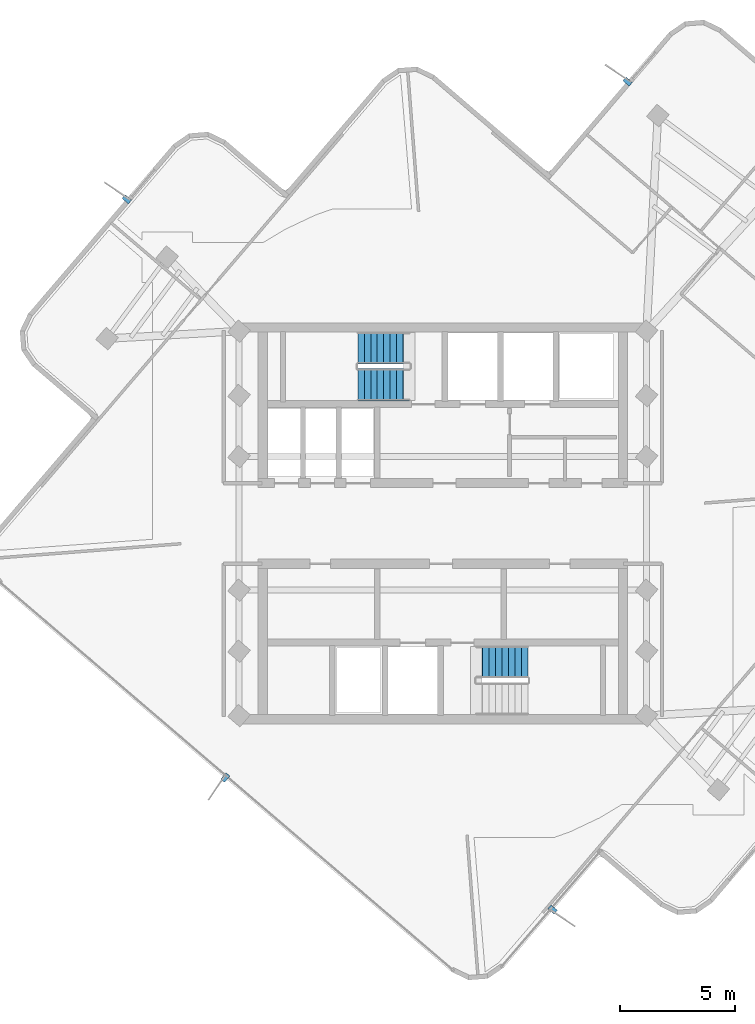
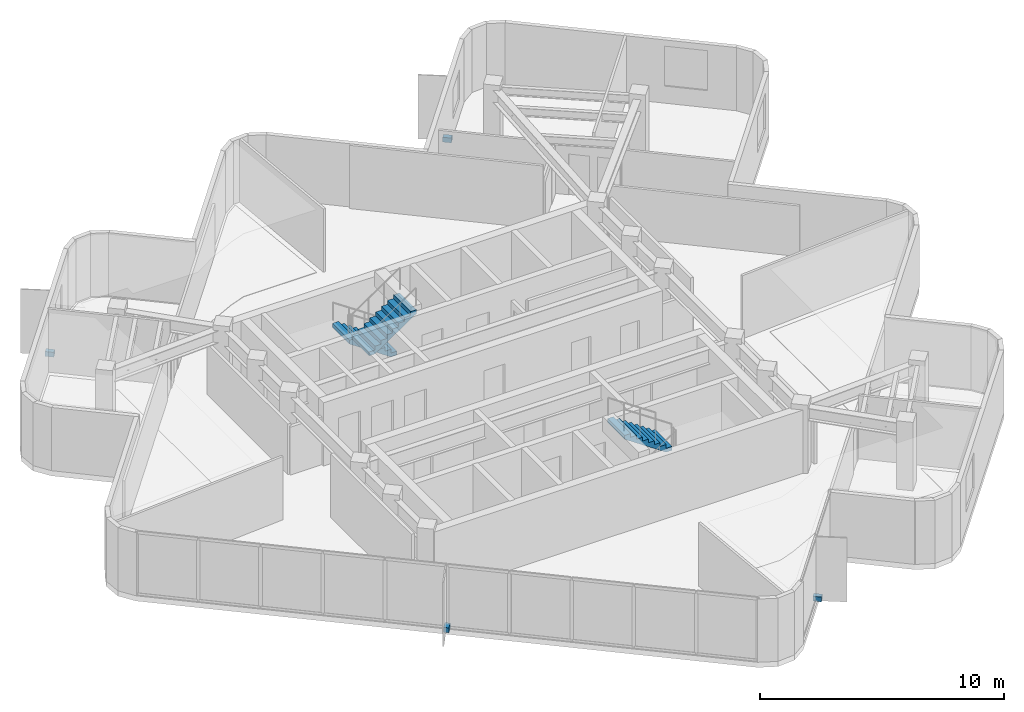
# One storey, part 8 of 11: 4 discrete accessories, 3 stair flights, 2 elements without a shape of their own.
"""IFC4 building model written with IfcOpenShell, lengths in metres."""

from ifc_helpers import new_model, si_unit, direction, frame, origin, origin_2d, place, context, subcontext, project, spatial, polyline, rectangle, outline, extrude, material, type_object, element, aggregate, save


model = new_model("IFC4")

# Units and contexts
model_context = context("Model", 3, precision=1e-05, world=origin(), true_north=direction((0.0, 1.0)))
body_context = subcontext(model_context, "Body", "Model", "MODEL_VIEW")
ifc_project = project(units=[si_unit("LENGTHUNIT", "METRE"), si_unit("AREAUNIT", "SQUARE_METRE"), si_unit("VOLUMEUNIT", "CUBIC_METRE"), si_unit("PLANEANGLEUNIT", "RADIAN"), si_unit("MASSUNIT", "GRAM", prefix="KILO")], contexts=[model_context])

# Site, building, storey
site_placement = place(None, origin())
site = spatial("IfcSite", under=ifc_project, at=site_placement, CompositionType="ELEMENT")
building_placement = place(site_placement, origin())
building = spatial("IfcBuilding", under=site, at=building_placement, Name="Solmarez Civic Tower", CompositionType="ELEMENT")
storey_placement = place(building_placement, frame((0.0, 0.0, 250.919921875)))
storey = spatial("IfcBuildingStorey", under=building, at=storey_placement, Name="L67", CompositionType="ELEMENT", Elevation=250.919921875)

# Stair, stair flights
ifc_material_1 = material(Name="Concrete C50/60", Category="concrete")
stair_type = type_object("IfcStairType", Name="STAIR-DOGLEG-140W-18R-1900", PredefinedType="HALF_TURN_STAIR", material=ifc_material_1)
stair_1_placement = place(storey_placement, origin())
stair_1 = element("IfcStair", 1, at=stair_1_placement, inside=storey, type_object=stair_type, Name="L67 North Core Protected Exit Stair ST-1", PredefinedType="HALF_TURN_STAIR")
stair_flight_type = type_object("IfcStairFlightType", Name="FLIGHT-DOGLEG-140W-9R-1900", PredefinedType="STRAIGHT", material=ifc_material_1)
stair_flight_1_placement = place(storey_placement, frame((-1.449951171875, 7.6201171875, 0.0), z_axis=(0.0, 0.0, 1.0), x_axis=(-1.0, 0.0, 0.0)))
stair_flight_1 = element("IfcStairFlight", 2, at=stair_flight_1_placement, type_object=stair_flight_type, Name="ST-1 flight 1", NumberOfRisers=9, NumberOfTreads=8, PredefinedType="STRAIGHT", RiserHeight=0.19, TreadLength=0.28, context=body_context, shape_type="SweptSolid", body=[
    extrude(outline(polyline([(0.0, 0.0), (0.0, 0.18994140625), (0.280029296875, 0.18994140625), (0.280029296875, 0.3798828125), (0.56005859375, 0.3798828125), (0.56005859375, 0.570068359375), (0.840087890625, 0.570068359375), (0.840087890625, 0.760009765625), (1.1201171875, 0.760009765625), (1.1201171875, 0.949951171875), (1.39990234375, 0.949951171875), (1.39990234375, 1.139892578125), (1.679931640625, 1.139892578125), (1.679931640625, 1.330078125), (1.9599609375, 1.330078125), (1.9599609375, 1.52001953125), (2.239990234375, 1.52001953125), (2.239990234375, 1.7099609375), (2.239990234375, 1.32666015625), (0.284912109375, 0.0), (0.0, 0.0)])), frame((0.0, 0.699951171875, 0.0), z_axis=(0.0, -1.0, 0.0), x_axis=(1.0, 0.0, 0.0)), (0.0, 0.0, 1.0), 1.39990234375),
])
stair_flight_2_placement = place(storey_placement, frame((-3.68994140625, 6.02001953125, 1.7099609375), z_axis=(0.0, 0.0, 1.0), x_axis=(1.0, 0.0, 0.0)))
stair_flight_2 = element("IfcStairFlight", 3, at=stair_flight_2_placement, type_object=stair_flight_type, Name="ST-1 flight 2", NumberOfRisers=9, NumberOfTreads=8, PredefinedType="STRAIGHT", RiserHeight=0.19, TreadLength=0.28, context=body_context, shape_type="SweptSolid", body=[
    extrude(outline(polyline([(0.0, 0.0), (0.0, 0.18994140625), (0.280029296875, 0.18994140625), (0.280029296875, 0.3798828125), (0.56005859375, 0.3798828125), (0.56005859375, 0.570068359375), (0.840087890625, 0.570068359375), (0.840087890625, 0.760009765625), (1.1201171875, 0.760009765625), (1.1201171875, 0.949951171875), (1.39990234375, 0.949951171875), (1.39990234375, 1.139892578125), (1.679931640625, 1.139892578125), (1.679931640625, 1.330078125), (1.9599609375, 1.330078125), (1.9599609375, 1.52001953125), (2.239990234375, 1.52001953125), (2.239990234375, 1.7099609375), (2.239990234375, 1.32666015625), (0.284912109375, 0.0), (0.0, 0.0)])), frame((0.0, 0.699951171875, 0.0), z_axis=(0.0, -1.0, 0.0), x_axis=(1.0, 0.0, 0.0)), (0.0, 0.0, 1.0), 1.39990234375),
])
aggregate(stair_1, [stair_flight_1, stair_flight_2])

# Stair, stair flight
stair_2_placement = place(storey_placement, origin())
stair_2 = element("IfcStair", 4, at=stair_2_placement, inside=storey, type_object=stair_type, Name="L67 South Core Protected Exit Stair ST-2", PredefinedType="HALF_TURN_STAIR")
stair_flight_3_placement = place(storey_placement, frame((3.68994140625, -6.02001953125, 1.7099609375), z_axis=(0.0, 0.0, 1.0), x_axis=(-1.0, 0.0, 0.0)))
stair_flight_3 = element("IfcStairFlight", 5, at=stair_flight_3_placement, type_object=stair_flight_type, Name="ST-2 flight 2", NumberOfRisers=9, NumberOfTreads=8, PredefinedType="STRAIGHT", RiserHeight=0.19, TreadLength=0.28, context=body_context, shape_type="SweptSolid", body=[
    extrude(outline(polyline([(0.0, 0.0), (0.0, 0.18994140625), (0.280029296875, 0.18994140625), (0.280029296875, 0.3798828125), (0.56005859375, 0.3798828125), (0.56005859375, 0.570068359375), (0.840087890625, 0.570068359375), (0.840087890625, 0.760009765625), (1.1201171875, 0.760009765625), (1.1201171875, 0.949951171875), (1.39990234375, 0.949951171875), (1.39990234375, 1.139892578125), (1.679931640625, 1.139892578125), (1.679931640625, 1.330078125), (1.9599609375, 1.330078125), (1.9599609375, 1.52001953125), (2.239990234375, 1.52001953125), (2.239990234375, 1.7099609375), (2.239990234375, 1.32666015625), (0.284912109375, 0.0), (0.0, 0.0)])), frame((0.0, 0.699951171875, 0.0), z_axis=(0.0, -1.0, 0.0), x_axis=(1.0, 0.0, 0.0)), (0.0, 0.0, 1.0), 1.39990234375),
])
aggregate(stair_2, [stair_flight_3])

# Discrete accessories
ifc_material_2 = material(Name="Stainless Steel Grade 1.4401", Category="steel")
discrete_accessory_type = type_object("IfcDiscreteAccessoryType", Name="BRACKET-SS-FIN", PredefinedType="BRACKET", material=ifc_material_2)
for number, where, z_axis, x_axis, name in (
    (6, (4.77001953125, -16.77294921875, -0.06005859375), (0.0, 0.0, 1.0), (0.759688459785, -0.650287201219, 0.0), "L67 Stainless Fin Support Bracket FIN-L67-01"),
    (7, (-9.447998046875, -11.0390625, -0.06005859375), (0.0, 0.0, 1.0), (-0.65025647063, -0.759714763845, 0.0), "L67 Stainless Fin Support Bracket FIN-L67-02"),
    (8, (-13.722900390625, 14.077880859375, -0.06005859375), (0.0, 0.0, 1.0), (-0.759723431268, 0.650246344075, 0.0), "L67 Stainless Fin Support Bracket FIN-L67-03"),
    (9, (8.027099609375, 19.18994140625, -0.06005859375), (0.0, 0.0, 1.0), (-0.7596815503, 0.650295273036, 0.0), "L67 Stainless Fin Support Bracket FIN-L67-04"),
):
    element("IfcDiscreteAccessory", number, at=place(storey_placement, frame(where, z_axis=z_axis, x_axis=x_axis)), inside=storey, type_object=discrete_accessory_type, Name=name, PredefinedType="BRACKET", context=body_context, shape_type="SweptSolid", body=[
        extrude(rectangle(XDim=0.360107421875, YDim=0.219970703125, at=origin_2d()), origin(), (0.0, 0.0, 1.0), 0.239990234375),
    ])

save(model, "model.ifc")
